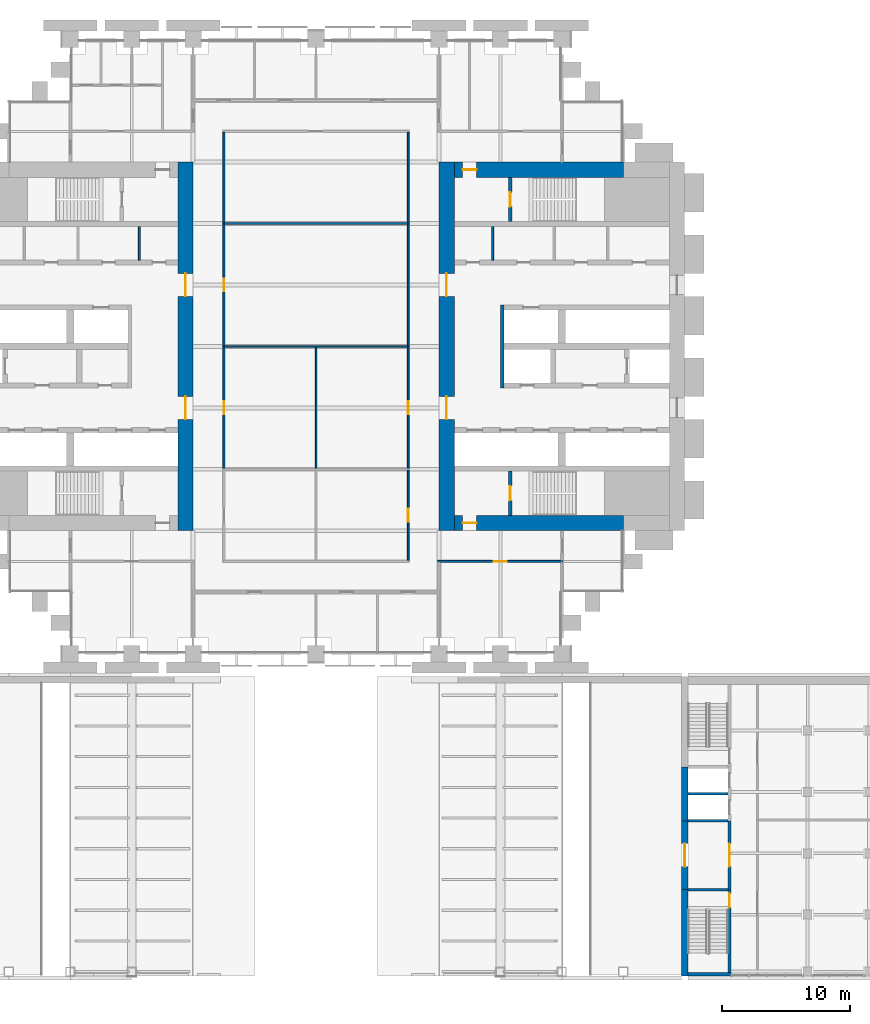
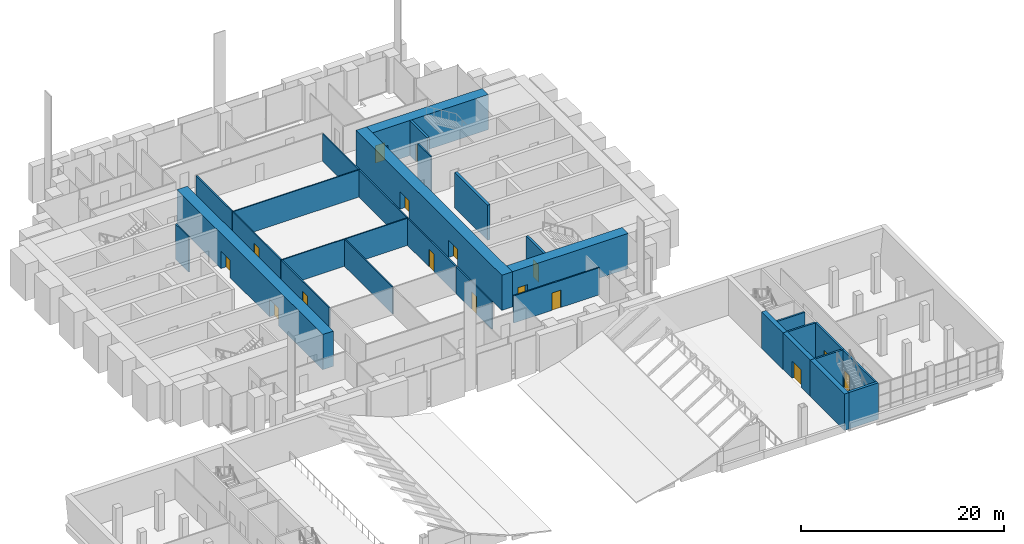
# One storey, part 22 of 32: 29 walls, 16 doors, 16 openings.
"""IFC4 building model written with IfcOpenShell, lengths in metres."""

from ifc_helpers import new_model, si_unit, direction, frame, frame_2d, origin, place, context, subcontext, project, spatial, rectangle, extrude, material, layer, layer_set, type_object, element, fill, save


model = new_model("IFC4")

# Units and contexts
model_context = context("Model", 3, precision=1e-05, world=origin(), true_north=direction((0.0, 1.0)))
body_context = subcontext(model_context, "Body", "Model", "MODEL_VIEW")
ifc_project = project(units=[si_unit("LENGTHUNIT", "METRE"), si_unit("AREAUNIT", "SQUARE_METRE"), si_unit("VOLUMEUNIT", "CUBIC_METRE"), si_unit("PLANEANGLEUNIT", "RADIAN"), si_unit("MASSUNIT", "GRAM", prefix="KILO")], contexts=[model_context])

# Site, building, storey
site_placement = place(None, origin())
site = spatial("IfcSite", under=ifc_project, at=site_placement, CompositionType="ELEMENT")
building_placement = place(site_placement, origin())
building = spatial("IfcBuilding", under=site, at=building_placement, Name="Baori Bourse Tower", CompositionType="ELEMENT")
storey_placement = place(building_placement, frame((0.0, 0.0, 12.60009765625)))
storey = spatial("IfcBuildingStorey", under=building, at=storey_placement, Name="L01", CompositionType="ELEMENT", Elevation=12.60009765625)

# Walls
ifc_material_1 = material(Name="Blockwork partition", Category="masonry")
ifc_layer_1 = layer(ifc_material_1, 0.14990234375)
ifc_layer_set_1 = layer_set([ifc_layer_1], Name="Core partition 150")
wall_type_1 = type_object("IfcWallType", Name="Core partition 150", PredefinedType="PARTITIONING", material=ifc_layer_set_1)
for number, where, z_axis, x_axis, name in (
    (1, (15.0, 30.75, 0.0), (0.0, 0.0, 1.0), (0.0, 1.0, 0.0), "Partition wall W20"),
    (2, (42.60009765625, 30.75, 0.0), (0.0, 0.0, 1.0), (0.0, 1.0, 0.0), "Partition wall E20"),
):
    element("IfcWall", number, at=place(storey_placement, frame(where, z_axis=z_axis, x_axis=x_axis)), inside=storey, type_object=wall_type_1, Name=name, PredefinedType="PARTITIONING", context=body_context, shape_type="SweptSolid", body=[
        extrude(rectangle(XDim=2.60009765625, YDim=0.14990234375, at=frame_2d((1.300048828125, 0.0))), origin(), (0.0, 0.0, 1.0), 4.239990234375),
    ])

# Wall, openings, doors
ifc_material_2 = material(Name="Concrete f'c 70 MPa", Category="concrete")
ifc_layer_2 = layer(ifc_material_2, 1.199951171875)
ifc_layer_set_2 = layer_set([ifc_layer_2], Name="Core wall 1200 f'c 70")
wall_type_2 = type_object("IfcWallType", Name="Core wall 1200 f'c 70", PredefinedType="SHEAR", material=ifc_layer_set_2)
wall_1_placement = place(storey_placement, frame((18.60009765625, 38.39990234375, 0.0), z_axis=(0.0, 0.0, 1.0), x_axis=(0.0, -1.0, 0.0)))
wall_1 = element("IfcWall", 3, at=wall_1_placement, inside=storey, type_object=wall_type_2, Name="Core wall W04", PredefinedType="SHEAR", context=body_context, shape_type="SweptSolid", body=[
    extrude(rectangle(XDim=28.7998046875, YDim=1.199951171875, at=frame_2d((14.39990234375, 0.0))), origin(), (0.0, 0.0, 1.0), 4.239990234375),
])
opening_1_placement = place(wall_1_placement, frame((18.300048828125, 0.0, 0.0)))
opening_1 = element("IfcOpeningElement", 4, at=opening_1_placement, cuts=wall_1, Name="Opening L01-D107", PredefinedType="OPENING", context=body_context, shape_type="SweptSolid", body=[
    extrude(rectangle(XDim=1.800048828125, YDim=2.10009765625, at=frame_2d((0.89990234375, 1.050048828125))), frame((0.0, 0.60986328125, 0.0), z_axis=(0.0, -1.0, 0.0), x_axis=(1.0, 0.0, 0.0)), (0.0, 0.0, 1.0), 1.219970703125),
])
opening_2_placement = place(wall_1_placement, frame((8.699951171875, 0.0, 0.0)))
opening_2 = element("IfcOpeningElement", 5, at=opening_2_placement, cuts=wall_1, Name="Opening L01-D108", PredefinedType="OPENING", context=body_context, shape_type="SweptSolid", body=[
    extrude(rectangle(XDim=1.800048828125, YDim=2.10009765625, at=frame_2d((0.89990234375, 1.050048828125))), frame((0.0, 0.60986328125, 0.0), z_axis=(0.0, -1.0, 0.0), x_axis=(1.0, 0.0, 0.0)), (0.0, 0.0, 1.0), 1.219970703125),
])
ifc_material_3 = material(Name="Painted steel door", Category="steel")
door_type_1 = type_object("IfcDoorType", Name="Core lobby door 1800", OperationType="DOUBLE_DOOR_SINGLE_SWING", PredefinedType="DOOR", material=ifc_material_3)
door_1_placement = place(opening_1_placement, origin())
door_1 = element("IfcDoor", 6, at=door_1_placement, inside=storey, type_object=door_type_1, Name="Lobby door W L01", OperationType="DOUBLE_DOOR_SINGLE_SWING", OverallHeight=2.10009765625, OverallWidth=1.800048828125, PredefinedType="DOOR", context=body_context, shape_type="SweptSolid", body=[
    extrude(rectangle(XDim=1.800048828125, YDim=2.10009765625, at=frame_2d((0.89990234375, 1.050048828125))), frame((0.0, 0.02490234375, 0.0), z_axis=(0.0, -1.0, 0.0), x_axis=(1.0, 0.0, 0.0)), (0.0, 0.0, 1.0), 0.050048828125),
])
fill(opening_1, door_1)
door_2_placement = place(opening_2_placement, origin())
door_2 = element("IfcDoor", 7, at=door_2_placement, inside=storey, type_object=door_type_1, Name="Lobby door W L01", OperationType="DOUBLE_DOOR_SINGLE_SWING", OverallHeight=2.10009765625, OverallWidth=1.800048828125, PredefinedType="DOOR", context=body_context, shape_type="SweptSolid", body=[
    extrude(rectangle(XDim=1.800048828125, YDim=2.10009765625, at=frame_2d((0.89990234375, 1.050048828125))), frame((0.0, 0.02490234375, 0.0), z_axis=(0.0, -1.0, 0.0), x_axis=(1.0, 0.0, 0.0)), (0.0, 0.0, 1.0), 0.050048828125),
])
fill(opening_2, door_2)

# Wall, opening, door
wall_2_placement = place(storey_placement, frame((52.800048828125, 10.199951171875, 0.0), z_axis=(0.0, 0.0, 1.0), x_axis=(-1.0, 0.0, 0.0)))
wall_2 = element("IfcWall", 8, at=wall_2_placement, inside=storey, type_object=wall_type_2, Name="Core wall E03", PredefinedType="SHEAR", context=body_context, shape_type="SweptSolid", body=[
    extrude(rectangle(XDim=13.199951171875, YDim=1.199951171875, at=frame_2d((6.60009765625, 0.0))), origin(), (0.0, 0.0, 1.0), 4.239990234375),
])
opening_3_placement = place(wall_2_placement, frame((11.449951171875, 0.0, 0.0)))
opening_3 = element("IfcOpeningElement", 9, at=opening_3_placement, cuts=wall_2, Name="Opening L01-D202", PredefinedType="OPENING", context=body_context, shape_type="SweptSolid", body=[
    extrude(rectangle(XDim=1.10009765625, YDim=2.10009765625, at=frame_2d((0.550048828125, 1.050048828125))), frame((0.0, 0.60986328125, 0.0), z_axis=(0.0, -1.0, 0.0), x_axis=(1.0, 0.0, 0.0)), (0.0, 0.0, 1.0), 1.219970703125),
])
ifc_material_4 = material(Name="Painted steel door", Category="steel")
door_type_2 = type_object("IfcDoorType", Name="Stair door 1100", OperationType="SINGLE_SWING_LEFT", PredefinedType="DOOR", material=ifc_material_4)
door_3_placement = place(opening_3_placement, origin())
door_3 = element("IfcDoor", 10, at=door_3_placement, inside=storey, type_object=door_type_2, Name="Stair vestibule door A E L01", OperationType="SINGLE_SWING_LEFT", OverallHeight=2.10009765625, OverallWidth=1.10009765625, PredefinedType="DOOR", context=body_context, shape_type="SweptSolid", body=[
    extrude(rectangle(XDim=1.10009765625, YDim=2.10009765625, at=frame_2d((0.550048828125, 1.050048828125))), frame((0.0, 0.02490234375, 0.0), z_axis=(0.0, -1.0, 0.0), x_axis=(1.0, 0.0, 0.0)), (0.0, 0.0, 1.0), 0.050048828125),
])
fill(opening_3, door_3)

# Wall, openings, doors
wall_3_placement = place(storey_placement, frame((39.0, 9.60009765625, 0.0), z_axis=(0.0, 0.0, 1.0), x_axis=(0.0, 1.0, 0.0)))
wall_3 = element("IfcWall", 11, at=wall_3_placement, inside=storey, type_object=wall_type_2, Name="Core wall E04", PredefinedType="SHEAR", context=body_context, shape_type="SweptSolid", body=[
    extrude(rectangle(XDim=28.7998046875, YDim=1.199951171875, at=frame_2d((14.39990234375, 0.0))), origin(), (0.0, 0.0, 1.0), 4.239990234375),
])
opening_4_placement = place(wall_3_placement, frame((8.699951171875, 0.0, 0.0)))
opening_4 = element("IfcOpeningElement", 12, at=opening_4_placement, cuts=wall_3, Name="Opening L01-D207", PredefinedType="OPENING", context=body_context, shape_type="SweptSolid", body=[
    extrude(rectangle(XDim=1.800048828125, YDim=2.10009765625, at=frame_2d((0.89990234375, 1.050048828125))), frame((0.0, 0.60986328125, 0.0), z_axis=(0.0, -1.0, 0.0), x_axis=(1.0, 0.0, 0.0)), (0.0, 0.0, 1.0), 1.219970703125),
])
opening_5_placement = place(wall_3_placement, frame((18.300048828125, 0.0, 0.0)))
opening_5 = element("IfcOpeningElement", 13, at=opening_5_placement, cuts=wall_3, Name="Opening L01-D208", PredefinedType="OPENING", context=body_context, shape_type="SweptSolid", body=[
    extrude(rectangle(XDim=1.800048828125, YDim=2.10009765625, at=frame_2d((0.89990234375, 1.050048828125))), frame((0.0, 0.60986328125, 0.0), z_axis=(0.0, -1.0, 0.0), x_axis=(1.0, 0.0, 0.0)), (0.0, 0.0, 1.0), 1.219970703125),
])
door_4_placement = place(opening_4_placement, origin())
door_4 = element("IfcDoor", 14, at=door_4_placement, inside=storey, type_object=door_type_1, Name="Lobby door E L01", OperationType="DOUBLE_DOOR_SINGLE_SWING", OverallHeight=2.10009765625, OverallWidth=1.800048828125, PredefinedType="DOOR", context=body_context, shape_type="SweptSolid", body=[
    extrude(rectangle(XDim=1.800048828125, YDim=2.10009765625, at=frame_2d((0.89990234375, 1.050048828125))), frame((0.0, 0.02490234375, 0.0), z_axis=(0.0, -1.0, 0.0), x_axis=(1.0, 0.0, 0.0)), (0.0, 0.0, 1.0), 0.050048828125),
])
fill(opening_4, door_4)
door_5_placement = place(opening_5_placement, origin())
door_5 = element("IfcDoor", 15, at=door_5_placement, inside=storey, type_object=door_type_1, Name="Lobby door E L01", OperationType="DOUBLE_DOOR_SINGLE_SWING", OverallHeight=2.10009765625, OverallWidth=1.800048828125, PredefinedType="DOOR", context=body_context, shape_type="SweptSolid", body=[
    extrude(rectangle(XDim=1.800048828125, YDim=2.10009765625, at=frame_2d((0.89990234375, 1.050048828125))), frame((0.0, 0.02490234375, 0.0), z_axis=(0.0, -1.0, 0.0), x_axis=(1.0, 0.0, 0.0)), (0.0, 0.0, 1.0), 0.050048828125),
])
fill(opening_5, door_5)

# Wall, opening, door
wall_4_placement = place(storey_placement, frame((39.60009765625, 37.800048828125, 0.0), z_axis=(0.0, 0.0, 1.0), x_axis=(1.0, 0.0, 0.0)))
wall_4 = element("IfcWall", 16, at=wall_4_placement, inside=storey, type_object=wall_type_2, Name="Core wall E25", PredefinedType="SHEAR", context=body_context, shape_type="SweptSolid", body=[
    extrude(rectangle(XDim=13.199951171875, YDim=1.199951171875, at=frame_2d((6.60009765625, 0.0))), origin(), (0.0, 0.0, 1.0), 4.239990234375),
])
opening_6_placement = place(wall_4_placement, frame((0.64990234375, 0.0, 0.0)))
opening_6 = element("IfcOpeningElement", 17, at=opening_6_placement, cuts=wall_4, Name="Opening L01-D204", PredefinedType="OPENING", context=body_context, shape_type="SweptSolid", body=[
    extrude(rectangle(XDim=1.10009765625, YDim=2.10009765625, at=frame_2d((0.550048828125, 1.050048828125))), frame((0.0, 0.60986328125, 0.0), z_axis=(0.0, -1.0, 0.0), x_axis=(1.0, 0.0, 0.0)), (0.0, 0.0, 1.0), 1.219970703125),
])
door_6_placement = place(opening_6_placement, origin())
door_6 = element("IfcDoor", 18, at=door_6_placement, inside=storey, type_object=door_type_2, Name="Stair vestibule door B E L01", OperationType="SINGLE_SWING_LEFT", OverallHeight=2.10009765625, OverallWidth=1.10009765625, PredefinedType="DOOR", context=body_context, shape_type="SweptSolid", body=[
    extrude(rectangle(XDim=1.10009765625, YDim=2.10009765625, at=frame_2d((0.550048828125, 1.050048828125))), frame((0.0, 0.02490234375, 0.0), z_axis=(0.0, -1.0, 0.0), x_axis=(1.0, 0.0, 0.0)), (0.0, 0.0, 1.0), 0.050048828125),
])
fill(opening_6, door_6)

ifc_material_5 = material(Name="Gypsum board partition")
ifc_layer_3 = layer(ifc_material_5, 0.14990234375)
ifc_layer_set_3 = layer_set([ifc_layer_3], Name="Corridor partition 150")
wall_type_3 = type_object("IfcWallType", Name="Corridor partition 150", PredefinedType="PARTITIONING", material=ifc_layer_set_3)
wall_5_placement = place(storey_placement, frame((38.324951171875, 7.199951171875, 0.0), z_axis=(0.0, 0.0, 1.0), x_axis=(1.0, 0.0, 0.0)))
wall_5 = element("IfcWall", 19, at=wall_5_placement, inside=storey, type_object=wall_type_3, Name="Partition", PredefinedType="PARTITIONING", context=body_context, shape_type="SweptSolid", body=[
    extrude(rectangle(XDim=9.75, YDim=0.14990234375, at=frame_2d((4.875, 0.0))), origin(), (0.0, 0.0, 1.0), 3.26953125),
])
opening_7_placement = place(wall_5_placement, frame((4.375, 0.0, 0.0)))
opening_7 = element("IfcOpeningElement", 20, at=opening_7_placement, cuts=wall_5, Name="Opening L01-D05", PredefinedType="OPENING", context=body_context, shape_type="SweptSolid", body=[
    extrude(rectangle(XDim=1.0, YDim=2.10009765625, at=frame_2d((0.5, 1.050048828125))), frame((0.0, 0.0849609375, 0.0), z_axis=(0.0, -1.0, 0.0), x_axis=(1.0, 0.0, 0.0)), (0.0, 0.0, 1.0), 0.169921875),
])
ifc_material_6 = material(Name="Timber door leaf", Category="wood")
door_type_3 = type_object("IfcDoorType", Name="Door 1000 x 2100", OperationType="SINGLE_SWING_LEFT", PredefinedType="DOOR", material=ifc_material_6)
door_7_placement = place(opening_7_placement, origin())
door_7 = element("IfcDoor", 21, at=door_7_placement, inside=storey, type_object=door_type_3, Name="Door", OperationType="SINGLE_SWING_LEFT", OverallHeight=2.10009765625, OverallWidth=1.0, PredefinedType="DOOR", context=body_context, shape_type="SweptSolid", body=[
    extrude(rectangle(XDim=1.0, YDim=2.10009765625, at=frame_2d((0.5, 1.050048828125))), frame((0.0, 0.02490234375, 0.0), z_axis=(0.0, -1.0, 0.0), x_axis=(1.0, 0.0, 0.0)), (0.0, 0.0, 1.0), 0.050048828125),
])
fill(opening_7, door_7)

wall_6_placement = place(storey_placement, frame((21.60009765625, 14.46240234375, 0.0), z_axis=(0.0, 0.0, 1.0), x_axis=(0.0, 1.0, 0.0)))
wall_6 = element("IfcWall", 22, at=wall_6_placement, inside=storey, type_object=wall_type_3, Name="Partition", PredefinedType="PARTITIONING", context=body_context, shape_type="SweptSolid", body=[
    extrude(rectangle(XDim=9.47509765625, YDim=0.14990234375, at=frame_2d((4.737548828125, 0.0))), origin(), (0.0, 0.0, 1.0), 3.26953125),
])
opening_8_placement = place(wall_6_placement, frame((4.237548828125, 0.0, 0.0)))
opening_8 = element("IfcOpeningElement", 23, at=opening_8_placement, cuts=wall_6, Name="Opening L01-D19", PredefinedType="OPENING", context=body_context, shape_type="SweptSolid", body=[
    extrude(rectangle(XDim=1.0, YDim=2.10009765625, at=frame_2d((0.5, 1.050048828125))), frame((0.0, 0.0849609375, 0.0), z_axis=(0.0, -1.0, 0.0), x_axis=(1.0, 0.0, 0.0)), (0.0, 0.0, 1.0), 0.169921875),
])
door_8_placement = place(opening_8_placement, origin())
door_8 = element("IfcDoor", 24, at=door_8_placement, inside=storey, type_object=door_type_3, Name="Door", OperationType="SINGLE_SWING_LEFT", OverallHeight=2.10009765625, OverallWidth=1.0, PredefinedType="DOOR", context=body_context, shape_type="SweptSolid", body=[
    extrude(rectangle(XDim=1.0, YDim=2.10009765625, at=frame_2d((0.5, 1.050048828125))), frame((0.0, 0.02490234375, 0.0), z_axis=(0.0, -1.0, 0.0), x_axis=(1.0, 0.0, 0.0)), (0.0, 0.0, 1.0), 0.050048828125),
])
fill(opening_8, door_8)

wall_7_placement = place(storey_placement, frame((21.60009765625, 24.0625, 0.0), z_axis=(0.0, 0.0, 1.0), x_axis=(0.0, 1.0, 0.0)))
wall_7 = element("IfcWall", 25, at=wall_7_placement, inside=storey, type_object=wall_type_3, Name="Partition", PredefinedType="PARTITIONING", context=body_context, shape_type="SweptSolid", body=[
    extrude(rectangle(XDim=9.47509765625, YDim=0.14990234375, at=frame_2d((4.737548828125, 0.0))), origin(), (0.0, 0.0, 1.0), 3.26953125),
])
opening_9_placement = place(wall_7_placement, frame((4.237548828125, 0.0, 0.0)))
opening_9 = element("IfcOpeningElement", 26, at=opening_9_placement, cuts=wall_7, Name="Opening L01-D20", PredefinedType="OPENING", context=body_context, shape_type="SweptSolid", body=[
    extrude(rectangle(XDim=1.0, YDim=2.10009765625, at=frame_2d((0.5, 1.050048828125))), frame((0.0, 0.0849609375, 0.0), z_axis=(0.0, -1.0, 0.0), x_axis=(1.0, 0.0, 0.0)), (0.0, 0.0, 1.0), 0.169921875),
])
door_9_placement = place(opening_9_placement, origin())
door_9 = element("IfcDoor", 27, at=door_9_placement, inside=storey, type_object=door_type_3, Name="Door", OperationType="SINGLE_SWING_LEFT", OverallHeight=2.10009765625, OverallWidth=1.0, PredefinedType="DOOR", context=body_context, shape_type="SweptSolid", body=[
    extrude(rectangle(XDim=1.0, YDim=2.10009765625, at=frame_2d((0.5, 1.050048828125))), frame((0.0, 0.02490234375, 0.0), z_axis=(0.0, -1.0, 0.0), x_axis=(1.0, 0.0, 0.0)), (0.0, 0.0, 1.0), 0.050048828125),
])
fill(opening_9, door_9)

# Wall
wall_8_placement = place(storey_placement, frame((21.60009765625, 33.66259765625, 0.0), z_axis=(0.0, 0.0, 1.0), x_axis=(0.0, 1.0, 0.0)))
element("IfcWall", 28, at=wall_8_placement, inside=storey, type_object=wall_type_3, Name="Partition", PredefinedType="PARTITIONING", context=body_context, shape_type="SweptSolid", body=[
    extrude(rectangle(XDim=7.0625, YDim=0.14990234375, at=frame_2d((3.53125, 0.0))), origin(), (0.0, 0.0, 1.0), 3.26953125),
])

# Wall, opening, door
wall_9_placement = place(storey_placement, frame((36.0, 7.27490234375, 0.0), z_axis=(0.0, 0.0, 1.0), x_axis=(0.0, 1.0, 0.0)))
wall_9 = element("IfcWall", 29, at=wall_9_placement, inside=storey, type_object=wall_type_3, Name="Partition", PredefinedType="PARTITIONING", context=body_context, shape_type="SweptSolid", body=[
    extrude(rectangle(XDim=7.0625, YDim=0.14990234375, at=frame_2d((3.53125, 0.0))), origin(), (0.0, 0.0, 1.0), 3.26953125),
])
opening_10_placement = place(wall_9_placement, frame((3.03125, 0.0, 0.0)))
opening_10 = element("IfcOpeningElement", 30, at=opening_10_placement, cuts=wall_9, Name="Opening L01-D21", PredefinedType="OPENING", context=body_context, shape_type="SweptSolid", body=[
    extrude(rectangle(XDim=1.0, YDim=2.10009765625, at=frame_2d((0.5, 1.050048828125))), frame((0.0, 0.0849609375, 0.0), z_axis=(0.0, -1.0, 0.0), x_axis=(1.0, 0.0, 0.0)), (0.0, 0.0, 1.0), 0.169921875),
])
door_10_placement = place(opening_10_placement, origin())
door_10 = element("IfcDoor", 31, at=door_10_placement, inside=storey, type_object=door_type_3, Name="Door", OperationType="SINGLE_SWING_RIGHT", OverallHeight=2.10009765625, OverallWidth=1.0, PredefinedType="DOOR", context=body_context, shape_type="SweptSolid", body=[
    extrude(rectangle(XDim=1.0, YDim=2.10009765625, at=frame_2d((0.5, 1.050048828125))), frame((0.0, 0.02490234375, 0.0), z_axis=(0.0, -1.0, 0.0), x_axis=(1.0, 0.0, 0.0)), (0.0, 0.0, 1.0), 0.050048828125),
])
fill(opening_10, door_10)

wall_10_placement = place(storey_placement, frame((36.0, 14.46240234375, 0.0), z_axis=(0.0, 0.0, 1.0), x_axis=(0.0, 1.0, 0.0)))
wall_10 = element("IfcWall", 32, at=wall_10_placement, inside=storey, type_object=wall_type_3, Name="Partition", PredefinedType="PARTITIONING", context=body_context, shape_type="SweptSolid", body=[
    extrude(rectangle(XDim=9.47509765625, YDim=0.14990234375, at=frame_2d((4.737548828125, 0.0))), origin(), (0.0, 0.0, 1.0), 3.26953125),
])
opening_11_placement = place(wall_10_placement, frame((4.237548828125, 0.0, 0.0)))
opening_11 = element("IfcOpeningElement", 33, at=opening_11_placement, cuts=wall_10, Name="Opening L01-D22", PredefinedType="OPENING", context=body_context, shape_type="SweptSolid", body=[
    extrude(rectangle(XDim=1.0, YDim=2.10009765625, at=frame_2d((0.5, 1.050048828125))), frame((0.0, 0.0849609375, 0.0), z_axis=(0.0, -1.0, 0.0), x_axis=(1.0, 0.0, 0.0)), (0.0, 0.0, 1.0), 0.169921875),
])
door_11_placement = place(opening_11_placement, origin())
door_11 = element("IfcDoor", 34, at=door_11_placement, inside=storey, type_object=door_type_3, Name="Door", OperationType="SINGLE_SWING_RIGHT", OverallHeight=2.10009765625, OverallWidth=1.0, PredefinedType="DOOR", context=body_context, shape_type="SweptSolid", body=[
    extrude(rectangle(XDim=1.0, YDim=2.10009765625, at=frame_2d((0.5, 1.050048828125))), frame((0.0, 0.02490234375, 0.0), z_axis=(0.0, -1.0, 0.0), x_axis=(1.0, 0.0, 0.0)), (0.0, 0.0, 1.0), 0.050048828125),
])
fill(opening_11, door_11)

# Walls
wall_11_placement = place(storey_placement, frame((36.0, 24.0625, 0.0), z_axis=(0.0, 0.0, 1.0), x_axis=(0.0, 1.0, 0.0)))
element("IfcWall", 35, at=wall_11_placement, inside=storey, type_object=wall_type_3, Name="Partition", PredefinedType="PARTITIONING", context=body_context, shape_type="SweptSolid", body=[
    extrude(rectangle(XDim=9.47509765625, YDim=0.14990234375, at=frame_2d((4.737548828125, 0.0))), origin(), (0.0, 0.0, 1.0), 3.26953125),
])
wall_12_placement = place(storey_placement, frame((36.0, 33.66259765625, 0.0), z_axis=(0.0, 0.0, 1.0), x_axis=(0.0, 1.0, 0.0)))
element("IfcWall", 36, at=wall_12_placement, inside=storey, type_object=wall_type_3, Name="Partition", PredefinedType="PARTITIONING", context=body_context, shape_type="SweptSolid", body=[
    extrude(rectangle(XDim=7.0625, YDim=0.14990234375, at=frame_2d((3.53125, 0.0))), origin(), (0.0, 0.0, 1.0), 3.26953125),
])
ifc_material_7 = material(Name="Concrete f'c 50 MPa", Category="concrete")
ifc_layer_4 = layer(ifc_material_7, 0.300048828125)
ifc_layer_set_4 = layer_set([ifc_layer_4], Name="Entrance wall 300")
wall_type_4 = type_object("IfcWallType", Name="Entrance wall 300", PredefinedType="SOLIDWALL", material=ifc_layer_set_4)
wall_13_placement = place(storey_placement, frame((61.199951171875, -25.050048828125, 0.0), z_axis=(0.0, 0.0, 1.0), x_axis=(-1.0, 0.0, 0.0)))
element("IfcWall", 37, at=wall_13_placement, inside=storey, type_object=wall_type_4, Name="wing/L01/Esouthwall/001", PredefinedType="SOLIDWALL", context=body_context, shape_type="SweptSolid", body=[
    extrude(rectangle(XDim=3.349853515625, YDim=0.300048828125, at=frame_2d((1.6748046875, 0.0))), origin(), (0.0, 0.0, 1.0), 4.39990234375),
])
ifc_material_8 = material(Name="Concrete f'c 50 MPa", Category="concrete")
ifc_layer_5 = layer(ifc_material_8, 0.5)
ifc_layer_set_5 = layer_set([ifc_layer_5], Name="Hall end wall 500")
wall_type_5 = type_object("IfcWallType", Name="Hall end wall 500", PredefinedType="SOLIDWALL", material=ifc_layer_set_5)
wall_14_placement = place(storey_placement, frame((57.60009765625, -8.860107421875, 0.0), z_axis=(0.0, 0.0, 1.0), x_axis=(0.0, -1.0, 0.0)))
element("IfcWall", 38, at=wall_14_placement, inside=storey, type_object=wall_type_5, Name="wing/L01/Ehallwall/002", PredefinedType="SOLIDWALL", context=body_context, shape_type="SweptSolid", body=[
    extrude(rectangle(XDim=4.199951171875, YDim=0.5, at=frame_2d((2.10009765625, 0.0))), origin(), (0.0, 0.0, 1.0), 4.39990234375),
])

# Wall, opening, door
wall_15_placement = place(storey_placement, frame((57.60009765625, -13.06005859375, 0.0), z_axis=(0.0, 0.0, 1.0), x_axis=(0.0, -1.0, 0.0)))
wall_15 = element("IfcWall", 39, at=wall_15_placement, inside=storey, type_object=wall_type_5, Name="wing/L01/Ehallwall/003", PredefinedType="SOLIDWALL", context=body_context, shape_type="SweptSolid", body=[
    extrude(rectangle(XDim=5.3798828125, YDim=0.5, at=frame_2d((2.68994140625, 0.0))), origin(), (0.0, 0.0, 1.0), 4.39990234375),
])
opening_12_placement = place(wall_15_placement, frame((1.7900390625, 0.0, 0.0)))
opening_12 = element("IfcOpeningElement", 40, at=opening_12_placement, cuts=wall_15, Name="Opening WGE-L01-06", PredefinedType="OPENING", context=body_context, shape_type="SweptSolid", body=[
    extrude(rectangle(XDim=1.800048828125, YDim=2.10009765625, at=frame_2d((0.89990234375, 1.050048828125))), frame((0.0, 0.260009765625, 0.0), z_axis=(0.0, -1.0, 0.0), x_axis=(1.0, 0.0, 0.0)), (0.0, 0.0, 1.0), 0.52001953125),
])
ifc_material_9 = material(Name="Timber door", Category="wood")
door_type_4 = type_object("IfcDoorType", Name="Wing double door 1800x2100", OperationType="DOUBLE_DOOR_SINGLE_SWING", PredefinedType="DOOR", material=ifc_material_9)
door_12_placement = place(opening_12_placement, origin())
door_12 = element("IfcDoor", 41, at=door_12_placement, inside=storey, type_object=door_type_4, Name="WGE-L01-06", OperationType="DOUBLE_DOOR_SINGLE_SWING", OverallHeight=2.10009765625, OverallWidth=1.800048828125, PredefinedType="DOOR", context=body_context, shape_type="SweptSolid", body=[
    extrude(rectangle(XDim=1.800048828125, YDim=2.10009765625, at=frame_2d((0.89990234375, 1.050048828125))), frame((0.0, 0.02490234375, 0.0), z_axis=(0.0, -1.0, 0.0), x_axis=(1.0, 0.0, 0.0)), (0.0, 0.0, 1.0), 0.050048828125),
])
fill(opening_12, door_12)

# Walls
wall_16_placement = place(storey_placement, frame((57.60009765625, -18.43994140625, 0.0), z_axis=(0.0, 0.0, 1.0), x_axis=(0.0, -1.0, 0.0)))
element("IfcWall", 42, at=wall_16_placement, inside=storey, type_object=wall_type_5, Name="wing/L01/Ehallwall/004", PredefinedType="SOLIDWALL", context=body_context, shape_type="SweptSolid", body=[
    extrude(rectangle(XDim=6.760009765625, YDim=0.5, at=frame_2d((3.3798828125, 0.0))), origin(), (0.0, 0.0, 1.0), 4.39990234375),
])
ifc_material_10 = material(Name="Gypsum board partition")
ifc_layer_6 = layer(ifc_material_10, 0.125)
ifc_layer_set_6 = layer_set([ifc_layer_6], Name="Partition 125")
wall_type_6 = type_object("IfcWallType", Name="Partition 125", PredefinedType="PARTITIONING", material=ifc_layer_set_6)
for number, where, z_axis, x_axis, name in (
    (43, (21.52490234375, 24.0, 0.0), (0.0, 0.0, 1.0), (1.0, 0.0, 0.0), "Partition"),
    (44, (21.52490234375, 33.60009765625, 0.0), (0.0, 0.0, 1.0), (1.0, 0.0, 0.0), "Partition"),
):
    element("IfcWall", number, at=place(storey_placement, frame(where, z_axis=z_axis, x_axis=x_axis)), inside=storey, type_object=wall_type_6, Name=name, PredefinedType="PARTITIONING", context=body_context, shape_type="SweptSolid", body=[
        extrude(rectangle(XDim=14.550048828125, YDim=0.125, at=frame_2d((7.27490234375, 0.0))), origin(), (0.0, 0.0, 1.0), 3.26953125),
    ])
wall_17_placement = place(storey_placement, frame((28.800048828125, 14.46240234375, 0.0), z_axis=(0.0, 0.0, 1.0), x_axis=(0.0, 1.0, 0.0)))
element("IfcWall", 45, at=wall_17_placement, inside=storey, type_object=wall_type_6, Name="Partition", PredefinedType="PARTITIONING", context=body_context, shape_type="SweptSolid", body=[
    extrude(rectangle(XDim=9.47509765625, YDim=0.125, at=frame_2d((4.737548828125, 0.0))), origin(), (0.0, 0.0, 1.0), 3.26953125),
])

# Wall, opening, door
ifc_material_11 = material(Name="Concrete f'c 50 MPa", Category="concrete")
ifc_layer_7 = layer(ifc_material_11, 0.199951171875)
ifc_layer_set_7 = layer_set([ifc_layer_7], Name="Shaft wall 200")
wall_type_7 = type_object("IfcWallType", Name="Shaft wall 200", PredefinedType="SOLIDWALL", material=ifc_layer_set_7)
wall_18_placement = place(storey_placement, frame((61.10009765625, -13.06005859375, 0.0), z_axis=(0.0, 0.0, 1.0), x_axis=(0.0, -1.0, 0.0)))
wall_18 = element("IfcWall", 46, at=wall_18_placement, inside=storey, type_object=wall_type_7, Name="wing/L01/EcorrwallE/003", PredefinedType="SOLIDWALL", context=body_context, shape_type="SweptSolid", body=[
    extrude(rectangle(XDim=5.3798828125, YDim=0.199951171875, at=frame_2d((2.68994140625, 0.0))), origin(), (0.0, 0.0, 1.0), 4.39990234375),
])
opening_13_placement = place(wall_18_placement, frame((1.7900390625, 0.0, 0.0)))
opening_13 = element("IfcOpeningElement", 47, at=opening_13_placement, cuts=wall_18, Name="Opening WGE-L01-05", PredefinedType="OPENING", context=body_context, shape_type="SweptSolid", body=[
    extrude(rectangle(XDim=1.800048828125, YDim=2.10009765625, at=frame_2d((0.89990234375, 1.050048828125))), frame((0.0, 0.10986328125, 0.0), z_axis=(0.0, -1.0, 0.0), x_axis=(1.0, 0.0, 0.0)), (0.0, 0.0, 1.0), 0.219970703125),
])
door_13_placement = place(opening_13_placement, origin())
door_13 = element("IfcDoor", 48, at=door_13_placement, inside=storey, type_object=door_type_4, Name="WGE-L01-05", OperationType="DOUBLE_DOOR_SINGLE_SWING", OverallHeight=2.10009765625, OverallWidth=1.800048828125, PredefinedType="DOOR", context=body_context, shape_type="SweptSolid", body=[
    extrude(rectangle(XDim=1.800048828125, YDim=2.10009765625, at=frame_2d((0.89990234375, 1.050048828125))), frame((0.0, 0.02490234375, 0.0), z_axis=(0.0, -1.0, 0.0), x_axis=(1.0, 0.0, 0.0)), (0.0, 0.0, 1.0), 0.050048828125),
])
fill(opening_13, door_13)

wall_19_placement = place(storey_placement, frame((61.10009765625, -18.43994140625, 0.0), z_axis=(0.0, 0.0, 1.0), x_axis=(0.0, -1.0, 0.0)))
wall_19 = element("IfcWall", 49, at=wall_19_placement, inside=storey, type_object=wall_type_7, Name="wing/L01/EcorrwallE/004", PredefinedType="SOLIDWALL", context=body_context, shape_type="SweptSolid", body=[
    extrude(rectangle(XDim=6.4599609375, YDim=0.199951171875, at=frame_2d((3.22998046875, 0.0))), origin(), (0.0, 0.0, 1.0), 4.39990234375),
])
opening_14_placement = place(wall_19_placement, frame((0.300048828125, 0.0, 0.0)))
opening_14 = element("IfcOpeningElement", 50, at=opening_14_placement, cuts=wall_19, Name="Opening WGE-L01-02", PredefinedType="OPENING", context=body_context, shape_type="SweptSolid", body=[
    extrude(rectangle(XDim=1.10009765625, YDim=2.10009765625, at=frame_2d((0.550048828125, 1.050048828125))), frame((0.0, 0.10986328125, 0.0), z_axis=(0.0, -1.0, 0.0), x_axis=(1.0, 0.0, 0.0)), (0.0, 0.0, 1.0), 0.219970703125),
])
ifc_material_12 = material(Name="Steel fire door", Category="steel")
door_type_5 = type_object("IfcDoorType", Name="Wing stair door 1100", OperationType="SINGLE_SWING_LEFT", PredefinedType="DOOR", material=ifc_material_12)
door_14_placement = place(opening_14_placement, origin())
door_14 = element("IfcDoor", 51, at=door_14_placement, inside=storey, type_object=door_type_5, Name="WGE-L01-02", OperationType="SINGLE_SWING_LEFT", OverallHeight=2.10009765625, OverallWidth=1.10009765625, PredefinedType="DOOR", context=body_context, shape_type="SweptSolid", body=[
    extrude(rectangle(XDim=1.10009765625, YDim=2.10009765625, at=frame_2d((0.550048828125, 1.050048828125))), frame((0.0, 0.02490234375, 0.0), z_axis=(0.0, -1.0, 0.0), x_axis=(1.0, 0.0, 0.0)), (0.0, 0.0, 1.0), 0.050048828125),
])
fill(opening_14, door_14)

# Walls
for number, where, z_axis, x_axis, name in (
    (52, (61.0, -10.9599609375, 0.0), (0.0, 0.0, 1.0), (-1.0, 0.0, 0.0), "wing/L01/Eshaftwall/002"),
    (53, (61.0, -13.06005859375, 0.0), (0.0, 0.0, 1.0), (-1.0, 0.0, 0.0), "wing/L01/Eshaftwall/003"),
    (54, (61.0, -18.43994140625, 0.0), (0.0, 0.0, 1.0), (-1.0, 0.0, 0.0), "wing/L01/Eshaftwall/004"),
):
    element("IfcWall", number, at=place(storey_placement, frame(where, z_axis=z_axis, x_axis=x_axis)), inside=storey, type_object=wall_type_7, Name=name, PredefinedType="SOLIDWALL", context=body_context, shape_type="SweptSolid", body=[
        extrude(rectangle(XDim=3.14990234375, YDim=0.199951171875, at=frame_2d((1.574951171875, 0.0))), origin(), (0.0, 0.0, 1.0), 4.39990234375),
    ])

# Wall, opening, door
ifc_material_13 = material(Name="Concrete f'c 70 MPa", Category="concrete")
ifc_layer_8 = layer(ifc_material_13, 0.25)
ifc_layer_set_8 = layer_set([ifc_layer_8], Name="Shaft wall 250 f'c 70")
wall_type_8 = type_object("IfcWallType", Name="Shaft wall 250 f'c 70", PredefinedType="SHEAR", material=ifc_layer_set_8)
wall_20_placement = place(storey_placement, frame((43.97509765625, 10.800048828125, 0.0), z_axis=(0.0, 0.0, 1.0), x_axis=(0.0, 1.0, 0.0)))
wall_20 = element("IfcWall", 55, at=wall_20_placement, inside=storey, type_object=wall_type_8, Name="Core wall E06", PredefinedType="SHEAR", context=body_context, shape_type="SweptSolid", body=[
    extrude(rectangle(XDim=3.449951171875, YDim=0.25, at=frame_2d((1.72509765625, 0.0))), origin(), (0.0, 0.0, 1.0), 4.239990234375),
])
opening_15_placement = place(wall_20_placement, frame((1.175048828125, 0.0, 0.0)))
opening_15 = element("IfcOpeningElement", 56, at=opening_15_placement, cuts=wall_20, Name="Opening L01-D201", PredefinedType="OPENING", context=body_context, shape_type="SweptSolid", body=[
    extrude(rectangle(XDim=1.10009765625, YDim=2.10009765625, at=frame_2d((0.550048828125, 1.050048828125))), frame((0.0, 0.135009765625, 0.0), z_axis=(0.0, -1.0, 0.0), x_axis=(1.0, 0.0, 0.0)), (0.0, 0.0, 1.0), 0.27001953125),
])
door_15_placement = place(opening_15_placement, origin())
door_15 = element("IfcDoor", 57, at=door_15_placement, inside=storey, type_object=door_type_2, Name="Stair door A E L01", OperationType="SINGLE_SWING_LEFT", OverallHeight=2.10009765625, OverallWidth=1.10009765625, PredefinedType="DOOR", context=body_context, shape_type="SweptSolid", body=[
    extrude(rectangle(XDim=1.10009765625, YDim=2.10009765625, at=frame_2d((0.550048828125, 1.050048828125))), frame((0.0, 0.02490234375, 0.0), z_axis=(0.0, -1.0, 0.0), x_axis=(1.0, 0.0, 0.0)), (0.0, 0.0, 1.0), 0.050048828125),
])
fill(opening_15, door_15)

wall_21_placement = place(storey_placement, frame((43.97509765625, 33.75, 0.0), z_axis=(0.0, 0.0, 1.0), x_axis=(0.0, 1.0, 0.0)))
wall_21 = element("IfcWall", 58, at=wall_21_placement, inside=storey, type_object=wall_type_8, Name="Core wall E23", PredefinedType="SHEAR", context=body_context, shape_type="SweptSolid", body=[
    extrude(rectangle(XDim=3.449951171875, YDim=0.25, at=frame_2d((1.72509765625, 0.0))), origin(), (0.0, 0.0, 1.0), 4.239990234375),
])
opening_16_placement = place(wall_21_placement, frame((1.175048828125, 0.0, 0.0)))
opening_16 = element("IfcOpeningElement", 59, at=opening_16_placement, cuts=wall_21, Name="Opening L01-D203", PredefinedType="OPENING", context=body_context, shape_type="SweptSolid", body=[
    extrude(rectangle(XDim=1.10009765625, YDim=2.10009765625, at=frame_2d((0.550048828125, 1.050048828125))), frame((0.0, 0.135009765625, 0.0), z_axis=(0.0, -1.0, 0.0), x_axis=(1.0, 0.0, 0.0)), (0.0, 0.0, 1.0), 0.27001953125),
])
door_16_placement = place(opening_16_placement, origin())
door_16 = element("IfcDoor", 60, at=door_16_placement, inside=storey, type_object=door_type_2, Name="Stair door B E L01", OperationType="SINGLE_SWING_LEFT", OverallHeight=2.10009765625, OverallWidth=1.10009765625, PredefinedType="DOOR", context=body_context, shape_type="SweptSolid", body=[
    extrude(rectangle(XDim=1.10009765625, YDim=2.10009765625, at=frame_2d((0.550048828125, 1.050048828125))), frame((0.0, 0.02490234375, 0.0), z_axis=(0.0, -1.0, 0.0), x_axis=(1.0, 0.0, 0.0)), (0.0, 0.0, 1.0), 0.050048828125),
])
fill(opening_16, door_16)

# Wall
ifc_material_14 = material(Name="Concrete f'c 70 MPa", Category="concrete")
ifc_layer_9 = layer(ifc_material_14, 0.300048828125)
ifc_layer_set_9 = layer_set([ifc_layer_9], Name="Shaft wall 300 f'c 70")
wall_type_9 = type_object("IfcWallType", Name="Shaft wall 300 f'c 70", PredefinedType="SHEAR", material=ifc_layer_set_9)
wall_22_placement = place(storey_placement, frame((43.35009765625, 20.75, 0.0), z_axis=(0.0, 0.0, 1.0), x_axis=(0.0, 1.0, 0.0)))
element("IfcWall", 61, at=wall_22_placement, inside=storey, type_object=wall_type_9, Name="Core wall E11", PredefinedType="SHEAR", context=body_context, shape_type="SweptSolid", body=[
    extrude(rectangle(XDim=6.5, YDim=0.300048828125, at=frame_2d((3.25, 0.0))), origin(), (0.0, 0.0, 1.0), 4.239990234375),
])

save(model, "model.ifc")
